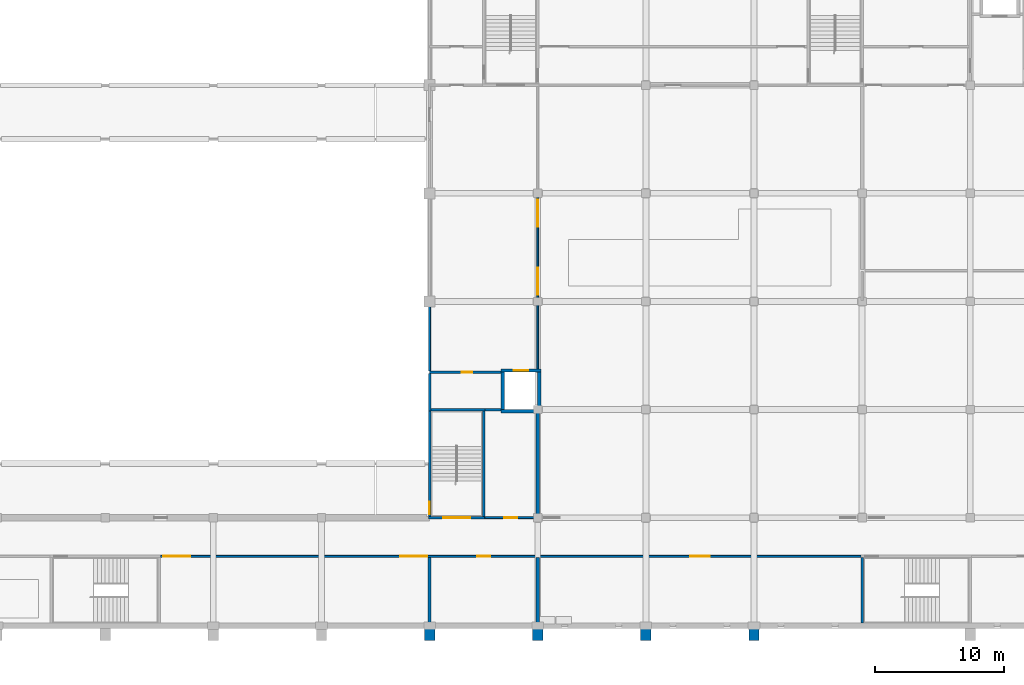
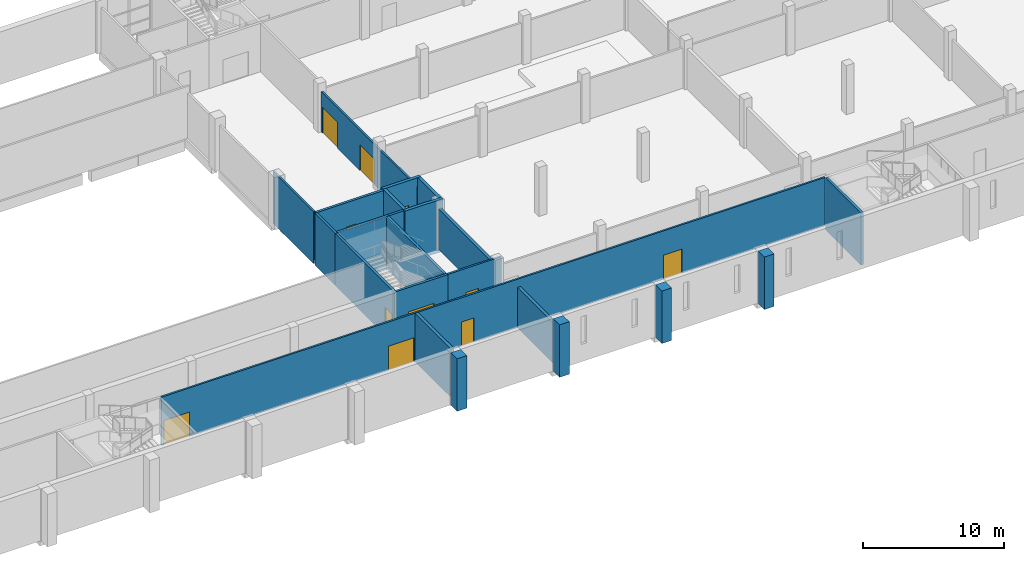
# One storey, part 27 of 64: 23 walls, 11 doors, 11 openings.
"""IFC4 building model written with IfcOpenShell, lengths in metres."""

from ifc_helpers import new_model, si_unit, direction, frame, frame_2d, origin, place, context, subcontext, project, spatial, rectangle, extrude, material, layer, layer_set, type_object, element, fill, save


model = new_model("IFC4")

# Units and contexts
model_context = context("Model", 3, precision=1e-05, world=origin(), true_north=direction((0.0, 1.0)))
body_context = subcontext(model_context, "Body", "Model", "MODEL_VIEW")
ifc_project = project(units=[si_unit("LENGTHUNIT", "METRE"), si_unit("AREAUNIT", "SQUARE_METRE"), si_unit("VOLUMEUNIT", "CUBIC_METRE"), si_unit("PLANEANGLEUNIT", "RADIAN"), si_unit("MASSUNIT", "GRAM", prefix="KILO")], contexts=[model_context])

# Site, building, storey
site_placement = place(None, origin())
site = spatial("IfcSite", under=ifc_project, at=site_placement, CompositionType="ELEMENT")
building_placement = place(site_placement, origin())
building = spatial("IfcBuilding", under=site, at=building_placement, Name="Rulbaag Community and Learning Centre", CompositionType="ELEMENT")
storey_placement = place(building_placement, frame((0.0, 0.0, 5.39990234375)))
storey = spatial("IfcBuildingStorey", under=building, at=storey_placement, Name="L01", CompositionType="ELEMENT", Elevation=5.39990234375)

# Walls
ifc_material_1 = material(Name="Concrete M30", Category="concrete")
ifc_layer_1 = layer(ifc_material_1, 0.25)
ifc_layer_set_1 = layer_set([ifc_layer_1], Name="CW-250 COMPARTMENT WALL 250")
wall_type_1 = type_object("IfcWallType", Name="CW-250 COMPARTMENT WALL 250", PredefinedType="SOLIDWALL", material=ifc_layer_set_1)
wall_1_placement = place(storey_placement, frame((84.0, 0.22509765625, 0.0), z_axis=(0.0, 0.0, 1.0), x_axis=(0.0, 1.0, 0.0)))
element("IfcWall", 1, at=wall_1_placement, inside=storey, type_object=wall_type_1, Name="Fire wall L01 58", PredefinedType="SOLIDWALL", context=body_context, shape_type="SweptSolid", body=[
    extrude(rectangle(XDim=5.099853515625, YDim=0.25, at=frame_2d((2.5498046875, 0.0))), origin(), (0.0, 0.0, 1.0), 4.2001953125),
])
wall_2_placement = place(storey_placement, frame((92.39990234375, 0.22509765625, 0.0), z_axis=(0.0, 0.0, 1.0), x_axis=(0.0, 1.0, 0.0)))
element("IfcWall", 2, at=wall_2_placement, inside=storey, type_object=wall_type_1, Name="Fire wall L01 61", PredefinedType="SOLIDWALL", context=body_context, shape_type="SweptSolid", body=[
    extrude(rectangle(XDim=5.099853515625, YDim=0.25, at=frame_2d((2.5498046875, 0.0))), origin(), (0.0, 0.0, 1.0), 3.5),
])
wall_3_placement = place(storey_placement, frame((92.39990234375, 8.47509765625, 0.0), z_axis=(0.0, 0.0, 1.0), x_axis=(0.0, 1.0, 0.0)))
element("IfcWall", 3, at=wall_3_placement, inside=storey, type_object=wall_type_1, Name="Fire wall L01 62", PredefinedType="SOLIDWALL", context=body_context, shape_type="SweptSolid", body=[
    extrude(rectangle(XDim=8.324951171875, YDim=0.25, at=frame_2d((4.16259765625, 0.0))), origin(), (0.0, 0.0, 1.0), 3.5),
])
ifc_material_2 = material(Name="Concrete M40", Category="concrete")
ifc_layer_2 = layer(ifc_material_2, 0.800048828125)
ifc_layer_set_2 = layer_set([ifc_layer_2], Name="EW-BTR")
wall_type_2 = type_object("IfcWallType", Name="EW-BTR", PredefinedType="SOLIDWALL", material=ifc_layer_set_2)
for number, where, z_axis, x_axis, name in (
    (4, (84.0, -0.22509765625, -0.2998046875), (0.0, 0.0, 1.0), (0.0, -1.0, 0.0), "Buttress pier"),
    (5, (92.39990234375, -0.22509765625, -0.2998046875), (0.0, 0.0, 1.0), (0.0, -1.0, 0.0), "Buttress pier"),
    (6, (100.800048828125, -0.22509765625, -0.2998046875), (0.0, 0.0, 1.0), (0.0, -1.0, 0.0), "Buttress pier"),
    (7, (109.199951171875, -0.22509765625, -0.2998046875), (0.0, 0.0, 1.0), (0.0, -1.0, 0.0), "Buttress pier"),
):
    element("IfcWall", number, at=place(storey_placement, frame(where, z_axis=z_axis, x_axis=x_axis)), inside=storey, type_object=wall_type_2, Name=name, PredefinedType="SOLIDWALL", context=body_context, shape_type="SweptSolid", body=[
        extrude(rectangle(XDim=0.89990234375, YDim=0.800048828125, at=frame_2d((0.449951171875, 0.0))), origin(), (0.0, 0.0, 1.0), 4.5498046875),
    ])
ifc_material_3 = material(Name="Concrete blockwork", Category="masonry")
ifc_layer_3 = layer(ifc_material_3, 0.199951171875)
ifc_layer_set_3 = layer_set([ifc_layer_3], Name="FW-200 FIRE WALL 200")
wall_type_3 = type_object("IfcWallType", Name="FW-200 FIRE WALL 200", PredefinedType="SOLIDWALL", material=ifc_layer_set_3)
wall_4_placement = place(storey_placement, frame((84.0, 16.699951171875, -0.2998046875), z_axis=(0.0, 0.0, 1.0), x_axis=(0.0, 1.0, 0.0)))
element("IfcWall", 8, at=wall_4_placement, inside=storey, type_object=wall_type_3, Name="Fire wall L01 73", PredefinedType="SOLIDWALL", context=body_context, shape_type="SweptSolid", body=[
    extrude(rectangle(XDim=2.900146484375, YDim=0.199951171875, at=frame_2d((1.4501953125, 0.0))), origin(), (0.0, 0.0, 1.0), 4.5),
])
wall_5_placement = place(storey_placement, frame((88.300048828125, 16.800048828125, 0.0), z_axis=(0.0, 0.0, 1.0), x_axis=(1.0, 0.0, 0.0)))
element("IfcWall", 9, at=wall_5_placement, inside=storey, type_object=wall_type_3, Name="Fire wall L01 9", PredefinedType="SOLIDWALL", context=body_context, shape_type="SweptSolid", body=[
    extrude(rectangle(XDim=1.25, YDim=0.199951171875, at=frame_2d((0.625, 0.0))), origin(), (0.0, 0.0, 1.0), 4.2001953125),
])

# Wall, opening, door
wall_6_placement = place(storey_placement, frame((84.0, 19.699951171875, 0.0), z_axis=(0.0, 0.0, 1.0), x_axis=(1.0, 0.0, 0.0)))
wall_6 = element("IfcWall", 10, at=wall_6_placement, inside=storey, type_object=wall_type_3, Name="Fire wall L01 12", PredefinedType="SOLIDWALL", context=body_context, shape_type="SweptSolid", body=[
    extrude(rectangle(XDim=5.550048828125, YDim=0.199951171875, at=frame_2d((2.77490234375, 0.0))), origin(), (0.0, 0.0, 1.0), 4.2001953125),
])
opening_1_placement = place(wall_6_placement, frame((2.5, 0.0, 0.0)))
opening_1 = element("IfcOpeningElement", 11, at=opening_1_placement, cuts=wall_6, Name="Opening L01-D063", PredefinedType="OPENING", context=body_context, shape_type="SweptSolid", body=[
    extrude(rectangle(XDim=0.800048828125, YDim=2.10009765625, at=frame_2d((0.39990234375, 1.050048828125))), frame((0.0, 0.10986328125, 0.0), z_axis=(0.0, -1.0, 0.0), x_axis=(1.0, 0.0, 0.0)), (0.0, 0.0, 1.0), 0.219970703125),
])
ifc_material_4 = material(Name="Galvanised steel", Category="steel")
door_type_1 = type_object("IfcDoorType", Name="FDR-800 RISER FIRE DOOR 800 x 2100", OperationType="SINGLE_SWING_LEFT", PredefinedType="DOOR", material=ifc_material_4)
door_1_placement = place(opening_1_placement, origin())
door_1 = element("IfcDoor", 12, at=door_1_placement, inside=storey, type_object=door_type_1, Name="Riser door L01-D049", OperationType="SINGLE_SWING_RIGHT", OverallHeight=2.10009765625, OverallWidth=0.800048828125, PredefinedType="DOOR", context=body_context, shape_type="SweptSolid", body=[
    extrude(rectangle(XDim=0.800048828125, YDim=2.10009765625, at=frame_2d((0.39990234375, 1.050048828125))), frame((0.0, 0.02490234375, 0.0), z_axis=(0.0, -1.0, 0.0), x_axis=(1.0, 0.0, 0.0)), (0.0, 0.0, 1.0), 0.050048828125),
])
fill(opening_1, door_1)

# Wall
ifc_layer_4 = layer(ifc_material_3, 0.14990234375)
ifc_layer_set_4 = layer_set([ifc_layer_4], Name="IP-150 PARTITION 150")
wall_type_4 = type_object("IfcWallType", Name="IP-150 PARTITION 150", PredefinedType="PARTITIONING", material=ifc_layer_set_4)
wall_7_placement = place(storey_placement, frame((84.0, 19.800048828125, -0.2998046875), z_axis=(0.0, 0.0, 1.0), x_axis=(0.0, 1.0, 0.0)))
element("IfcWall", 13, at=wall_7_placement, inside=storey, type_object=wall_type_4, Name="Partition L01 74", PredefinedType="PARTITIONING", context=body_context, shape_type="SweptSolid", body=[
    extrude(rectangle(XDim=5.804931640625, YDim=0.14990234375, at=frame_2d((2.90234375, 0.0))), origin(), (0.0, 0.0, 1.0), 4.5),
])

# Wall, openings, doors
wall_8_placement = place(storey_placement, frame((63.10009765625, 5.39990234375, 0.0), z_axis=(0.0, 0.0, 1.0), x_axis=(1.0, 0.0, 0.0)))
wall_8 = element("IfcWall", 14, at=wall_8_placement, inside=storey, type_object=wall_type_4, Name="Partition L01 3", PredefinedType="PARTITIONING", context=body_context, shape_type="SweptSolid", body=[
    extrude(rectangle(XDim=54.39990234375, YDim=0.14990234375, at=frame_2d((27.199951171875, 0.0))), origin(), (0.0, 0.0, 1.0), 4.2001953125),
])
opening_2_placement = place(wall_8_placement, frame((0.199951171875, 0.0, 0.0)))
opening_2 = element("IfcOpeningElement", 15, at=opening_2_placement, cuts=wall_8, Name="Opening L01-D056", PredefinedType="OPENING", context=body_context, shape_type="SweptSolid", body=[
    extrude(rectangle(XDim=2.10009765625, YDim=2.10009765625, at=frame_2d((1.050048828125, 1.050048828125))), frame((0.0, 0.0849609375, 0.0), z_axis=(0.0, -1.0, 0.0), x_axis=(1.0, 0.0, 0.0)), (0.0, 0.0, 1.0), 0.169921875),
])
opening_3_placement = place(wall_8_placement, frame((18.60009765625, 0.0, 0.0)))
opening_3 = element("IfcOpeningElement", 16, at=opening_3_placement, cuts=wall_8, Name="Opening L01-D057", PredefinedType="OPENING", context=body_context, shape_type="SweptSolid", body=[
    extrude(rectangle(XDim=2.10009765625, YDim=2.10009765625, at=frame_2d((1.050048828125, 1.050048828125))), frame((0.0, 0.0849609375, 0.0), z_axis=(0.0, -1.0, 0.0), x_axis=(1.0, 0.0, 0.0)), (0.0, 0.0, 1.0), 0.169921875),
])
opening_4_placement = place(wall_8_placement, frame((24.60009765625, 0.0, 0.0)))
opening_4 = element("IfcOpeningElement", 17, at=opening_4_placement, cuts=wall_8, Name="Opening L01-D064", PredefinedType="OPENING", context=body_context, shape_type="SweptSolid", body=[
    extrude(rectangle(XDim=1.0, YDim=2.10009765625, at=frame_2d((0.5, 1.050048828125))), frame((0.0, 0.0849609375, 0.0), z_axis=(0.0, -1.0, 0.0), x_axis=(1.0, 0.0, 0.0)), (0.0, 0.0, 1.0), 0.169921875),
])
opening_5_placement = place(wall_8_placement, frame((41.14990234375, 0.0, 0.0)))
opening_5 = element("IfcOpeningElement", 18, at=opening_5_placement, cuts=wall_8, Name="Opening L01-D075", PredefinedType="OPENING", context=body_context, shape_type="SweptSolid", body=[
    extrude(rectangle(XDim=1.5, YDim=2.10009765625, at=frame_2d((0.75, 1.050048828125))), frame((0.0, 0.0849609375, 0.0), z_axis=(0.0, -1.0, 0.0), x_axis=(1.0, 0.0, 0.0)), (0.0, 0.0, 1.0), 0.169921875),
])
ifc_material_5 = material(Name="Timber", Category="wood")
door_type_2 = type_object("IfcDoorType", Name="D-1000 DOOR 1000 x 2100", OperationType="SINGLE_SWING_LEFT", PredefinedType="DOOR", material=ifc_material_5)
door_2_placement = place(opening_4_placement, origin())
door_2 = element("IfcDoor", 19, at=door_2_placement, inside=storey, type_object=door_type_2, Name="Door L01-D064", OperationType="SINGLE_SWING_LEFT", OverallHeight=2.10009765625, OverallWidth=1.0, PredefinedType="DOOR", context=body_context, shape_type="SweptSolid", body=[
    extrude(rectangle(XDim=1.0, YDim=2.10009765625, at=frame_2d((0.5, 1.050048828125))), frame((0.0, 0.02490234375, 0.0), z_axis=(0.0, -1.0, 0.0), x_axis=(1.0, 0.0, 0.0)), (0.0, 0.0, 1.0), 0.050048828125),
])
fill(opening_4, door_2)
door_type_3 = type_object("IfcDoorType", Name="D-2100 DOUBLE DOOR 2100 x 2100", OperationType="DOUBLE_DOOR_SINGLE_SWING", PredefinedType="DOOR", material=ifc_material_5)
door_3_placement = place(opening_2_placement, origin())
door_3 = element("IfcDoor", 20, at=door_3_placement, inside=storey, type_object=door_type_3, Name="Door L01-D056", OperationType="DOUBLE_DOOR_SINGLE_SWING", OverallHeight=2.10009765625, OverallWidth=2.10009765625, PredefinedType="DOOR", context=body_context, shape_type="SweptSolid", body=[
    extrude(rectangle(XDim=2.10009765625, YDim=2.10009765625, at=frame_2d((1.050048828125, 1.050048828125))), frame((0.0, 0.02490234375, 0.0), z_axis=(0.0, -1.0, 0.0), x_axis=(1.0, 0.0, 0.0)), (0.0, 0.0, 1.0), 0.050048828125),
])
fill(opening_2, door_3)
door_4_placement = place(opening_3_placement, origin())
door_4 = element("IfcDoor", 21, at=door_4_placement, inside=storey, type_object=door_type_3, Name="Door L01-D057", OperationType="DOUBLE_DOOR_SINGLE_SWING", OverallHeight=2.10009765625, OverallWidth=2.10009765625, PredefinedType="DOOR", context=body_context, shape_type="SweptSolid", body=[
    extrude(rectangle(XDim=2.10009765625, YDim=2.10009765625, at=frame_2d((1.050048828125, 1.050048828125))), frame((0.0, 0.02490234375, 0.0), z_axis=(0.0, -1.0, 0.0), x_axis=(1.0, 0.0, 0.0)), (0.0, 0.0, 1.0), 0.050048828125),
])
fill(opening_3, door_4)
door_type_4 = type_object("IfcDoorType", Name="DK-1500 KITCHEN AND SERVICE DOOR 1500 x 2100", OperationType="DOUBLE_DOOR_SINGLE_SWING", PredefinedType="DOOR", material=ifc_material_5)
door_5_placement = place(opening_5_placement, origin())
door_5 = element("IfcDoor", 22, at=door_5_placement, inside=storey, type_object=door_type_4, Name="Door L01-D075", OperationType="DOUBLE_DOOR_SINGLE_SWING", OverallHeight=2.10009765625, OverallWidth=1.5, PredefinedType="DOOR", context=body_context, shape_type="SweptSolid", body=[
    extrude(rectangle(XDim=1.5, YDim=2.10009765625, at=frame_2d((0.75, 1.050048828125))), frame((0.0, 0.02490234375, 0.0), z_axis=(0.0, -1.0, 0.0), x_axis=(1.0, 0.0, 0.0)), (0.0, 0.0, 1.0), 0.050048828125),
])
fill(opening_5, door_5)

# Wall, opening, door
wall_9_placement = place(storey_placement, frame((88.300048828125, 8.39990234375, 0.0), z_axis=(0.0, 0.0, 1.0), x_axis=(1.0, 0.0, 0.0)))
wall_9 = element("IfcWall", 23, at=wall_9_placement, inside=storey, type_object=wall_type_4, Name="Partition L01 6", PredefinedType="PARTITIONING", context=body_context, shape_type="SweptSolid", body=[
    extrude(rectangle(XDim=4.405029296875, YDim=0.14990234375, at=frame_2d((2.20263671875, 0.0))), origin(), (0.0, 0.0, 1.0), 4.2001953125),
])
opening_6_placement = place(wall_9_placement, frame((1.5, 0.0, 0.0)))
opening_6 = element("IfcOpeningElement", 24, at=opening_6_placement, cuts=wall_9, Name="Opening L01-D066", PredefinedType="OPENING", context=body_context, shape_type="SweptSolid", body=[
    extrude(rectangle(XDim=1.0, YDim=2.10009765625, at=frame_2d((0.5, 1.050048828125))), frame((0.0, 0.0849609375, 0.0), z_axis=(0.0, -1.0, 0.0), x_axis=(1.0, 0.0, 0.0)), (0.0, 0.0, 1.0), 0.169921875),
])
door_6_placement = place(opening_6_placement, origin())
door_6 = element("IfcDoor", 25, at=door_6_placement, inside=storey, type_object=door_type_2, Name="Door L01-D066", OperationType="SINGLE_SWING_RIGHT", OverallHeight=2.10009765625, OverallWidth=1.0, PredefinedType="DOOR", context=body_context, shape_type="SweptSolid", body=[
    extrude(rectangle(XDim=1.0, YDim=2.10009765625, at=frame_2d((0.5, 1.050048828125))), frame((0.0, 0.02490234375, 0.0), z_axis=(0.0, -1.0, 0.0), x_axis=(1.0, 0.0, 0.0)), (0.0, 0.0, 1.0), 0.050048828125),
])
fill(opening_6, door_6)

# Wall, openings, doors
wall_10_placement = place(storey_placement, frame((92.39990234375, 19.699951171875, 0.0), z_axis=(0.0, 0.0, 1.0), x_axis=(0.0, 1.0, 0.0)))
wall_10 = element("IfcWall", 26, at=wall_10_placement, inside=storey, type_object=wall_type_4, Name="Partition L01 63", PredefinedType="PARTITIONING", context=body_context, shape_type="SweptSolid", body=[
    extrude(rectangle(XDim=13.594970703125, YDim=0.14990234375, at=frame_2d((6.79736328125, 0.0))), origin(), (0.0, 0.0, 1.0), 3.5),
])
opening_7_placement = place(wall_10_placement, frame((6.0, 0.0, 0.0)))
opening_7 = element("IfcOpeningElement", 27, at=opening_7_placement, cuts=wall_10, Name="Opening L01-D069", PredefinedType="OPENING", context=body_context, shape_type="SweptSolid", body=[
    extrude(rectangle(XDim=2.10009765625, YDim=2.25, at=frame_2d((1.050048828125, 1.125))), frame((0.0, 0.0849609375, 0.0), z_axis=(0.0, -1.0, 0.0), x_axis=(1.0, 0.0, 0.0)), (0.0, 0.0, 1.0), 0.169921875),
])
opening_8_placement = place(wall_10_placement, frame((11.300048828125, 0.0, 0.0)))
opening_8 = element("IfcOpeningElement", 28, at=opening_8_placement, cuts=wall_10, Name="Opening L01-D070", PredefinedType="OPENING", context=body_context, shape_type="SweptSolid", body=[
    extrude(rectangle(XDim=2.10009765625, YDim=2.25, at=frame_2d((1.050048828125, 1.125))), frame((0.0, 0.0849609375, 0.0), z_axis=(0.0, -1.0, 0.0), x_axis=(1.0, 0.0, 0.0)), (0.0, 0.0, 1.0), 0.169921875),
])
door_type_5 = type_object("IfcDoorType", Name="D-2100 LIBRARY ENTRANCE DOOR PAIR 2100 x 2250", OperationType="DOUBLE_DOOR_SINGLE_SWING", PredefinedType="DOOR", material=ifc_material_5)
door_7_placement = place(opening_7_placement, origin())
door_7 = element("IfcDoor", 29, at=door_7_placement, inside=storey, type_object=door_type_5, Name="Door L01-D069", OperationType="DOUBLE_DOOR_SINGLE_SWING", OverallHeight=2.25, OverallWidth=2.10009765625, PredefinedType="DOOR", context=body_context, shape_type="SweptSolid", body=[
    extrude(rectangle(XDim=2.10009765625, YDim=2.25, at=frame_2d((1.050048828125, 1.125))), frame((0.0, 0.02490234375, 0.0), z_axis=(0.0, -1.0, 0.0), x_axis=(1.0, 0.0, 0.0)), (0.0, 0.0, 1.0), 0.050048828125),
])
fill(opening_7, door_7)
door_8_placement = place(opening_8_placement, origin())
door_8 = element("IfcDoor", 30, at=door_8_placement, inside=storey, type_object=door_type_5, Name="Door L01-D070", OperationType="DOUBLE_DOOR_SINGLE_SWING", OverallHeight=2.25, OverallWidth=2.10009765625, PredefinedType="DOOR", context=body_context, shape_type="SweptSolid", body=[
    extrude(rectangle(XDim=2.10009765625, YDim=2.25, at=frame_2d((1.050048828125, 1.125))), frame((0.0, 0.02490234375, 0.0), z_axis=(0.0, -1.0, 0.0), x_axis=(1.0, 0.0, 0.0)), (0.0, 0.0, 1.0), 0.050048828125),
])
fill(opening_8, door_8)

# Wall
ifc_layer_5 = layer(ifc_material_2, 0.25)
ifc_layer_set_5 = layer_set([ifc_layer_5], Name="W8 Lift shaft wall 250 Concrete M40")
wall_type_5 = type_object("IfcWallType", Name="W8 Lift shaft wall 250 Concrete M40", PredefinedType="SHEAR", material=ifc_layer_set_5)
wall_11_placement = place(storey_placement, frame((89.550048828125, 16.675048828125, -0.2998046875), z_axis=(0.0, 0.0, 1.0), x_axis=(1.0, 0.0, 0.0)))
element("IfcWall", 31, at=wall_11_placement, inside=storey, type_object=wall_type_5, Name="WL-LH2-S-L01", PredefinedType="SHEAR", context=body_context, shape_type="SweptSolid", body=[
    extrude(rectangle(XDim=3.099853515625, YDim=0.25, at=frame_2d((1.5498046875, 0.0))), origin(), (0.0, 0.0, 1.0), 4.5498046875),
])

# Wall, opening, door
wall_12_placement = place(storey_placement, frame((89.550048828125, 19.824951171875, -0.2998046875), z_axis=(0.0, 0.0, 1.0), x_axis=(1.0, 0.0, 0.0)))
wall_12 = element("IfcWall", 32, at=wall_12_placement, inside=storey, type_object=wall_type_5, Name="WL-LH2-N-L01", PredefinedType="SHEAR", context=body_context, shape_type="SweptSolid", body=[
    extrude(rectangle(XDim=3.099853515625, YDim=0.25, at=frame_2d((1.5498046875, 0.0))), origin(), (0.0, 0.0, 1.0), 4.5498046875),
])
opening_9_placement = place(wall_12_placement, frame((1.0, 0.0, 0.300048828125)))
opening_9 = element("IfcOpeningElement", 33, at=opening_9_placement, cuts=wall_12, Name="Opening L01-D068", PredefinedType="OPENING", context=body_context, shape_type="SweptSolid", body=[
    extrude(rectangle(XDim=1.10009765625, YDim=2.10009765625, at=frame_2d((0.550048828125, 1.050048828125))), frame((0.0, 0.135009765625, 0.0), z_axis=(0.0, -1.0, 0.0), x_axis=(1.0, 0.0, 0.0)), (0.0, 0.0, 1.0), 0.27001953125),
])
ifc_material_6 = material(Name="Stainless steel grade 304", Category="steel")
door_type_6 = type_object("IfcDoorType", Name="LD-1100 LIFT LANDING DOOR 1100 x 2100", OperationType="SLIDING_TO_LEFT", PredefinedType="DOOR", material=ifc_material_6)
door_9_placement = place(opening_9_placement, origin())
door_9 = element("IfcDoor", 34, at=door_9_placement, inside=storey, type_object=door_type_6, Name="Lift landing door LH2 L01", OperationType="SLIDING_TO_LEFT", OverallHeight=2.10009765625, OverallWidth=1.10009765625, PredefinedType="DOOR", context=body_context, shape_type="SweptSolid", body=[
    extrude(rectangle(XDim=1.10009765625, YDim=2.10009765625, at=frame_2d((0.550048828125, 1.050048828125))), frame((0.0, 0.02490234375, 0.0), z_axis=(0.0, -1.0, 0.0), x_axis=(1.0, 0.0, 0.0)), (0.0, 0.0, 1.0), 0.050048828125),
])
fill(opening_9, door_9)

# Walls
for number, where, z_axis, x_axis, name in (
    (35, (89.675048828125, 16.800048828125, -0.2998046875), (0.0, 0.0, 1.0), (0.0, 1.0, 0.0), "WL-LH2-W-L01"),
    (36, (92.52490234375, 16.800048828125, -0.2998046875), (0.0, 0.0, 1.0), (0.0, 1.0, 0.0), "WL-LH2-E-L01"),
):
    element("IfcWall", number, at=place(storey_placement, frame(where, z_axis=z_axis, x_axis=x_axis)), inside=storey, type_object=wall_type_5, Name=name, PredefinedType="SHEAR", context=body_context, shape_type="SweptSolid", body=[
        extrude(rectangle(XDim=2.89990234375, YDim=0.25, at=frame_2d((1.449951171875, 0.0))), origin(), (0.0, 0.0, 1.0), 4.5498046875),
    ])

# Wall, opening, door
ifc_layer_6 = layer(ifc_material_2, 0.199951171875)
ifc_layer_set_6 = layer_set([ifc_layer_6], Name="WSE Stair enclosure wall 200 Concrete M40")
wall_type_6 = type_object("IfcWallType", Name="WSE Stair enclosure wall 200 Concrete M40", PredefinedType="SHEAR", material=ifc_layer_set_6)
wall_13_placement = place(storey_placement, frame((83.89990234375, 8.39990234375, -0.2998046875), z_axis=(0.0, 0.0, 1.0), x_axis=(1.0, 0.0, 0.0)))
wall_13 = element("IfcWall", 37, at=wall_13_placement, inside=storey, type_object=wall_type_6, Name="Stair enclosure wall SH2 S L01", PredefinedType="SHEAR", context=body_context, shape_type="SweptSolid", body=[
    extrude(rectangle(XDim=4.400146484375, YDim=0.199951171875, at=frame_2d((2.2001953125, 0.0))), origin(), (0.0, 0.0, 1.0), 4.5),
])
opening_10_placement = place(wall_13_placement, frame((1.14990234375, 0.0, 0.300048828125)))
opening_10 = element("IfcOpeningElement", 38, at=opening_10_placement, cuts=wall_13, Name="Opening L01-D060", PredefinedType="OPENING", context=body_context, shape_type="SweptSolid", body=[
    extrude(rectangle(XDim=2.10009765625, YDim=2.10009765625, at=frame_2d((1.050048828125, 1.050048828125))), frame((0.0, 0.10986328125, 0.0), z_axis=(0.0, -1.0, 0.0), x_axis=(1.0, 0.0, 0.0)), (0.0, 0.0, 1.0), 0.219970703125),
])
door_type_7 = type_object("IfcDoorType", Name="FD-2100 FIRE DOOR 2100 x 2100", OperationType="DOUBLE_DOOR_SINGLE_SWING", PredefinedType="DOOR", material=ifc_material_4)
door_10_placement = place(opening_10_placement, origin())
door_10 = element("IfcDoor", 39, at=door_10_placement, inside=storey, type_object=door_type_7, Name="Door L01-D060", OperationType="DOUBLE_DOOR_SINGLE_SWING", OverallHeight=2.10009765625, OverallWidth=2.10009765625, PredefinedType="DOOR", context=body_context, shape_type="SweptSolid", body=[
    extrude(rectangle(XDim=2.10009765625, YDim=2.10009765625, at=frame_2d((1.050048828125, 1.050048828125))), frame((0.0, 0.02490234375, 0.0), z_axis=(0.0, -1.0, 0.0), x_axis=(1.0, 0.0, 0.0)), (0.0, 0.0, 1.0), 0.050048828125),
])
fill(opening_10, door_10)

# Wall
wall_14_placement = place(storey_placement, frame((83.89990234375, 16.800048828125, -0.2998046875), z_axis=(0.0, 0.0, 1.0), x_axis=(1.0, 0.0, 0.0)))
element("IfcWall", 40, at=wall_14_placement, inside=storey, type_object=wall_type_6, Name="Stair enclosure wall SH2 N L01", PredefinedType="SHEAR", context=body_context, shape_type="SweptSolid", body=[
    extrude(rectangle(XDim=4.400146484375, YDim=0.199951171875, at=frame_2d((2.2001953125, 0.0))), origin(), (0.0, 0.0, 1.0), 4.5),
])

# Wall, opening, door
wall_15_placement = place(storey_placement, frame((84.0, 8.5, -0.2998046875), z_axis=(0.0, 0.0, 1.0), x_axis=(0.0, 1.0, 0.0)))
wall_15 = element("IfcWall", 41, at=wall_15_placement, inside=storey, type_object=wall_type_6, Name="Stair enclosure wall SH2 W L01", PredefinedType="SHEAR", context=body_context, shape_type="SweptSolid", body=[
    extrude(rectangle(XDim=8.199951171875, YDim=0.199951171875, at=frame_2d((4.10009765625, 0.0))), origin(), (0.0, 0.0, 1.0), 4.5),
])
opening_11_placement = place(wall_15_placement, frame((0.14990234375, 0.0, 0.300048828125)))
opening_11 = element("IfcOpeningElement", 42, at=opening_11_placement, cuts=wall_15, Name="Opening L01-D058", PredefinedType="OPENING", context=body_context, shape_type="SweptSolid", body=[
    extrude(rectangle(XDim=1.0, YDim=2.10009765625, at=frame_2d((0.5, 1.050048828125))), frame((0.0, 0.10986328125, 0.0), z_axis=(0.0, -1.0, 0.0), x_axis=(1.0, 0.0, 0.0)), (0.0, 0.0, 1.0), 0.219970703125),
])
door_type_8 = type_object("IfcDoorType", Name="FD-1000 FIRE DOOR 1000 x 2100", OperationType="SINGLE_SWING_LEFT", PredefinedType="DOOR", material=ifc_material_4)
door_11_placement = place(opening_11_placement, origin())
door_11 = element("IfcDoor", 43, at=door_11_placement, inside=storey, type_object=door_type_8, Name="Door L01-D058", OperationType="SINGLE_SWING_LEFT", OverallHeight=2.10009765625, OverallWidth=1.0, PredefinedType="DOOR", context=body_context, shape_type="SweptSolid", body=[
    extrude(rectangle(XDim=1.0, YDim=2.10009765625, at=frame_2d((0.5, 1.050048828125))), frame((0.0, 0.02490234375, 0.0), z_axis=(0.0, -1.0, 0.0), x_axis=(1.0, 0.0, 0.0)), (0.0, 0.0, 1.0), 0.050048828125),
])
fill(opening_11, door_11)

# Walls
wall_16_placement = place(storey_placement, frame((88.199951171875, 8.5, -0.2998046875), z_axis=(0.0, 0.0, 1.0), x_axis=(0.0, 1.0, 0.0)))
element("IfcWall", 44, at=wall_16_placement, inside=storey, type_object=wall_type_6, Name="Stair enclosure wall SH2 E L01", PredefinedType="SHEAR", context=body_context, shape_type="SweptSolid", body=[
    extrude(rectangle(XDim=8.199951171875, YDim=0.199951171875, at=frame_2d((4.10009765625, 0.0))), origin(), (0.0, 0.0, 1.0), 4.5),
])
wall_17_placement = place(storey_placement, frame((117.60009765625, 0.22509765625, -0.2998046875), z_axis=(0.0, 0.0, 1.0), x_axis=(0.0, 1.0, 0.0)))
element("IfcWall", 45, at=wall_17_placement, inside=storey, type_object=wall_type_6, Name="Stair enclosure wall SH11 W L01", PredefinedType="SHEAR", context=body_context, shape_type="SweptSolid", body=[
    extrude(rectangle(XDim=5.074951171875, YDim=0.199951171875, at=frame_2d((2.53759765625, 0.0))), origin(), (0.0, 0.0, 1.0), 4.5),
])

save(model, "model.ifc")
